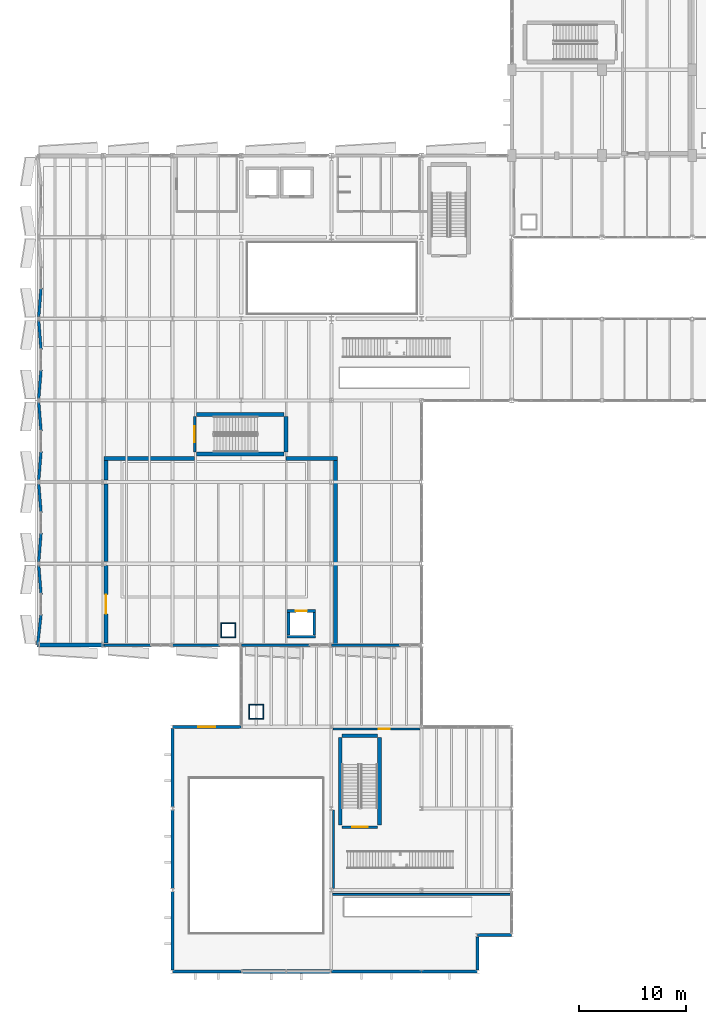
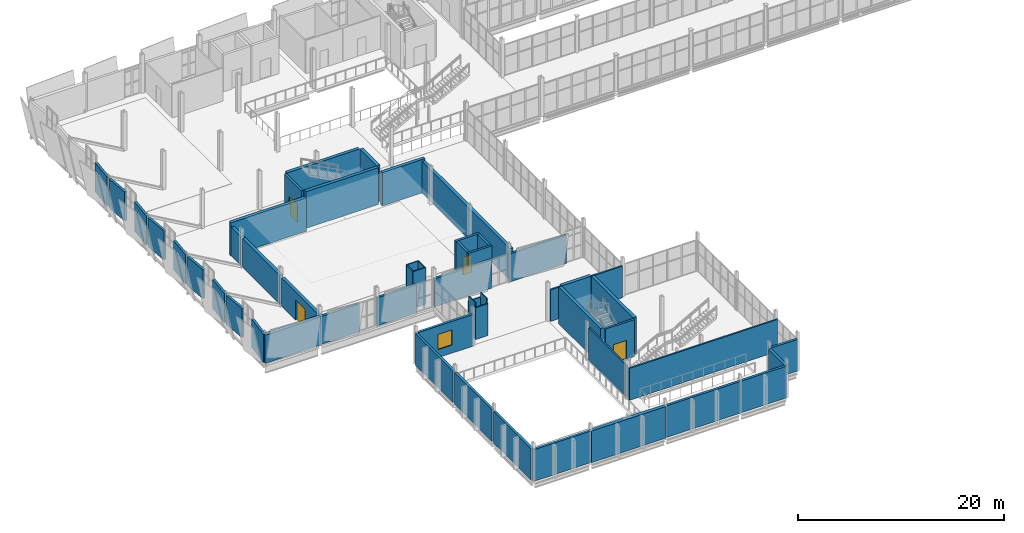
# One storey, part 151 of 172: 53 walls, 5 doors, 1 window, 6 openings.
"""IFC4 building model written with IfcOpenShell, lengths in metres."""

from ifc_helpers import new_model, si_unit, direction, frame, frame_2d, origin, place, context, subcontext, project, spatial, rectangle, extrude, material, layer, layer_set, type_object, element, fill, save


model = new_model("IFC4")

# Units and contexts
model_context = context("Model", 3, precision=1e-05, world=origin(), true_north=direction((0.0, 1.0)))
body_context = subcontext(model_context, "Body", "Model", "MODEL_VIEW")
ifc_project = project(units=[si_unit("LENGTHUNIT", "METRE"), si_unit("AREAUNIT", "SQUARE_METRE"), si_unit("VOLUMEUNIT", "CUBIC_METRE"), si_unit("PLANEANGLEUNIT", "RADIAN"), si_unit("MASSUNIT", "GRAM", prefix="KILO")], contexts=[model_context])

# Site, building, storey
site_placement = place(None, origin())
site = spatial("IfcSite", under=ifc_project, at=site_placement, CompositionType="ELEMENT")
building_placement = place(site_placement, origin())
building = spatial("IfcBuilding", under=site, at=building_placement, Name="Shengluoqiao Park Theatre", CompositionType="ELEMENT")
storey_placement = place(building_placement, frame((0.0, 0.0, 5.39990234375)))
storey = spatial("IfcBuildingStorey", under=building, at=storey_placement, Name="L01", CompositionType="ELEMENT", Elevation=5.39990234375)

# Walls
ifc_material_1 = material(Name="Concrete C40", Category="concrete")
ifc_layer_1 = layer(ifc_material_1, 0.27001953125, Name="Concrete C40")
ifc_layer_set_1 = layer_set([ifc_layer_1], Name="Concrete C40")
wall_type_1 = type_object("IfcWallType", Name="ENV-WL-CONC270", PredefinedType="STANDARD", material=ifc_layer_set_1)
wall_1_placement = place(storey_placement, frame((12.81005859375, 0.0, 0.0), z_axis=(0.0, 0.0, 1.0), x_axis=(1.0, 0.0, 0.0)))
element("IfcWall", 1, at=wall_1_placement, inside=storey, type_object=wall_type_1, Name="L01 Exterior Wall 0141", PredefinedType="STANDARD", context=body_context, shape_type="SweptSolid", body=[
    extrude(rectangle(XDim=6.3798828125, YDim=0.27001953125, at=frame_2d((3.18994140625, 0.0))), origin(), (0.0, 0.0, 1.0), 3.756103515625),
])
wall_2_placement = place(storey_placement, frame((27.610107421875, 0.0, 0.0), z_axis=(0.0, 0.0, 1.0), x_axis=(1.0, 0.0, 0.0)))
element("IfcWall", 2, at=wall_2_placement, inside=storey, type_object=wall_type_1, Name="L01 Exterior Wall 0143", PredefinedType="STANDARD", context=body_context, shape_type="SweptSolid", body=[
    extrude(rectangle(XDim=8.3798828125, YDim=0.27001953125, at=frame_2d((4.18994140625, 0.0))), origin(), (0.0, 0.0, 1.0), 3.756103515625),
])
wall_3_placement = place(storey_placement, frame((36.010009765625, 0.0, 0.0), z_axis=(0.0, 0.0, 1.0), x_axis=(1.0, 0.0, 0.0)))
element("IfcWall", 3, at=wall_3_placement, inside=storey, type_object=wall_type_1, Name="L01 Exterior Wall 0144", PredefinedType="STANDARD", context=body_context, shape_type="SweptSolid", body=[
    extrude(rectangle(XDim=5.179931640625, YDim=0.27001953125, at=frame_2d((2.58984375, 0.0))), origin(), (0.0, 0.0, 1.0), 3.756103515625),
])
for number, where, z_axis, x_axis, name in (
    (4, (12.800048828125, 0.154052734375, 0.0), (0.0, 0.0, 1.0), (0.0, 1.0, 0.0), "L01 Exterior Wall 0145"),
    (5, (12.800048828125, 7.75390625, 0.0), (0.0, 0.0, 1.0), (0.0, 1.0, 0.0), "L01 Exterior Wall 0146"),
    (6, (12.800048828125, 15.35400390625, 0.0), (0.0, 0.0, 1.0), (0.0, 1.0, 0.0), "L01 Exterior Wall 0147"),
):
    element("IfcWall", number, at=place(storey_placement, frame(where, z_axis=z_axis, x_axis=x_axis)), inside=storey, type_object=wall_type_1, Name=name, PredefinedType="STANDARD", context=body_context, shape_type="SweptSolid", body=[
        extrude(rectangle(XDim=7.2919921875, YDim=0.27001953125, at=frame_2d((3.64599609375, 0.0))), origin(), (0.0, 0.0, 1.0), 3.756103515625),
    ])
wall_4_placement = place(storey_placement, frame((41.199951171875, 0.154052734375, 0.0), z_axis=(0.0, 0.0, 1.0), x_axis=(0.0, 1.0, 0.0)))
element("IfcWall", 7, at=wall_4_placement, inside=storey, type_object=wall_type_1, Name="L01 Exterior Wall 0148", PredefinedType="STANDARD", context=body_context, shape_type="SweptSolid", body=[
    extrude(rectangle(XDim=3.092041015625, YDim=0.27001953125, at=frame_2d((1.5458984375, 0.0))), origin(), (0.0, 0.0, 1.0), 3.756103515625),
])
wall_5_placement = place(storey_placement, frame((41.2099609375, 3.39990234375, 0.0), z_axis=(0.0, 0.0, 1.0), x_axis=(1.0, 0.0, 0.0)))
element("IfcWall", 8, at=wall_5_placement, inside=storey, type_object=wall_type_1, Name="L01 Exterior Wall 0149", PredefinedType="STANDARD", context=body_context, shape_type="SweptSolid", body=[
    extrude(rectangle(XDim=3.179931640625, YDim=0.27001953125, at=frame_2d((1.58984375, 0.0))), origin(), (0.0, 0.0, 1.0), 3.756103515625),
])

# Wall, opening, window
wall_6_placement = place(storey_placement, frame((12.81005859375, 22.800048828125, 0.0), z_axis=(0.0, 0.0, 1.0), x_axis=(1.0, 0.0, 0.0)))
wall_6 = element("IfcWall", 9, at=wall_6_placement, inside=storey, type_object=wall_type_1, Name="L01 Exterior Wall 0150", PredefinedType="STANDARD", context=body_context, shape_type="SweptSolid", body=[
    extrude(rectangle(XDim=6.3798828125, YDim=0.27001953125, at=frame_2d((3.18994140625, 0.0))), origin(), (0.0, 0.0, 1.0), 3.756103515625),
])
opening_1_placement = place(wall_6_placement, frame((2.389892578125, 0.0, 0.949951171875)))
opening_1 = element("IfcOpeningElement", 10, at=opening_1_placement, cuts=wall_6, Name="Opening W-06", PredefinedType="OPENING", context=body_context, shape_type="SweptSolid", body=[
    extrude(rectangle(XDim=1.60009765625, YDim=1.800048828125, at=frame_2d((0.800048828125, 0.89990234375))), frame((0.0, 0.14501953125, 0.0), z_axis=(0.0, -1.0, 0.0), x_axis=(1.0, 0.0, 0.0)), (0.0, 0.0, 1.0), 0.2900390625),
])
ifc_material_2 = material(Name="Insulated glass", Category="glass")
window_type = type_object("IfcWindowType", Name="ENV-WIN-W06", PartitioningType="DOUBLE_PANEL_VERTICAL", PredefinedType="WINDOW", material=ifc_material_2)
window_placement = place(opening_1_placement, origin())
window = element("IfcWindow", 11, at=window_placement, inside=storey, type_object=window_type, Name="L01 Acoustic Window 0010", OverallHeight=1.800048828125, OverallWidth=1.60009765625, PartitioningType="DOUBLE_PANEL_VERTICAL", PredefinedType="WINDOW", context=body_context, shape_type="SweptSolid", body=[
    extrude(rectangle(XDim=1.60009765625, YDim=1.800048828125, at=frame_2d((0.800048828125, 0.89990234375))), frame((0.0, 0.030029296875, 0.0), z_axis=(0.0, -1.0, 0.0), x_axis=(1.0, 0.0, 0.0)), (0.0, 0.0, 1.0), 0.06005859375),
])
fill(opening_1, window)

# Walls
ifc_material_3 = material(Name="Concrete C45", Category="concrete")
ifc_layer_2 = layer(ifc_material_3, 0.3798828125, Name="Concrete C45")
ifc_layer_set_2 = layer_set([ifc_layer_2], Name="Concrete C45")
wall_type_2 = type_object("IfcWallType", Name="ENV-WL-CONC380", PredefinedType="STANDARD", material=ifc_layer_set_2)
wall_7_placement = place(storey_placement, frame((0.179931640625, 30.419921875, 0.0), z_axis=(0.0, 0.0, 1.0), x_axis=(1.0, 0.0, 0.0)))
element("IfcWall", 12, at=wall_7_placement, inside=storey, type_object=wall_type_2, Name="L01 Exterior Wall 0091", PredefinedType="STANDARD", context=body_context, shape_type="SweptSolid", body=[
    extrude(rectangle(XDim=6.2099609375, YDim=0.3798828125, at=frame_2d((3.10498046875, 0.0))), origin(), (0.0, 0.0, 1.0), 3.338134765625),
])
wall_8_placement = place(storey_placement, frame((19.2099609375, 0.0, 0.0), z_axis=(0.0, 0.0, 1.0), x_axis=(1.0, 0.0, 0.0)))
element("IfcWall", 13, at=wall_8_placement, inside=storey, type_object=wall_type_2, Name="L01 Exterior Wall 0142", PredefinedType="STANDARD", context=body_context, shape_type="SweptSolid", body=[
    extrude(rectangle(XDim=8.380126953125, YDim=0.3798828125, at=frame_2d((4.18994140625, 0.0))), origin(), (0.0, 0.0, 1.0), 3.756103515625),
])
ifc_material_4 = material(Name="Precast concrete C45", Category="concrete")
ifc_layer_3 = layer(ifc_material_4, 0.25, Name="Precast concrete C45")
ifc_layer_set_3 = layer_set([ifc_layer_3], Name="Precast concrete C45")
wall_type_3 = type_object("IfcWallType", Name="ENV-WL-CRYS250", PredefinedType="STANDARD", material=ifc_layer_set_3)
wall_9_placement = place(storey_placement, frame((6.409912109375, 30.39990234375, 0.0), z_axis=(0.0, 0.0, 1.0), x_axis=(1.0, 0.0, 0.0)))
element("IfcWall", 14, at=wall_9_placement, inside=storey, type_object=wall_type_3, Name="L01 Exterior Wall 0092", PredefinedType="STANDARD", context=body_context, shape_type="SweptSolid", body=[
    extrude(rectangle(XDim=4.4111328125, YDim=0.25, at=frame_2d((2.20556640625, 0.0))), origin(), (0.0, 0.0, 1.0), 3.338134765625),
])
wall_10_placement = place(storey_placement, frame((12.81005859375, 30.39990234375, 0.0), z_axis=(0.0, 0.0, 1.0), x_axis=(1.0, 0.0, 0.0)))
element("IfcWall", 15, at=wall_10_placement, inside=storey, type_object=wall_type_3, Name="L01 Exterior Wall 0093", PredefinedType="STANDARD", context=body_context, shape_type="SweptSolid", body=[
    extrude(rectangle(XDim=4.410888671875, YDim=0.25, at=frame_2d((2.20556640625, 0.0))), origin(), (0.0, 0.0, 1.0), 3.338134765625),
])
wall_11_placement = place(storey_placement, frame((19.2099609375, 30.39990234375, 0.0), z_axis=(0.0, 0.0, 1.0), x_axis=(1.0, 0.0, 0.0)))
element("IfcWall", 16, at=wall_11_placement, inside=storey, type_object=wall_type_3, Name="L01 Exterior Wall 0094", PredefinedType="STANDARD", context=body_context, shape_type="SweptSolid", body=[
    extrude(rectangle(XDim=6.4111328125, YDim=0.25, at=frame_2d((3.20556640625, 0.0))), origin(), (0.0, 0.0, 1.0), 3.338134765625),
])
wall_12_placement = place(storey_placement, frame((27.610107421875, 30.39990234375, 0.0), z_axis=(0.0, 0.0, 1.0), x_axis=(1.0, 0.0, 0.0)))
element("IfcWall", 17, at=wall_12_placement, inside=storey, type_object=wall_type_3, Name="L01 Exterior Wall 0095", PredefinedType="STANDARD", context=body_context, shape_type="SweptSolid", body=[
    extrude(rectangle(XDim=6.410888671875, YDim=0.25, at=frame_2d((3.20556640625, 0.0))), origin(), (0.0, 0.0, 1.0), 3.338134765625),
])
wall_13_placement = place(storey_placement, frame((0.239990234375, 30.419921875, 0.0), z_axis=(0.0, 0.0, 1.0), x_axis=(0.111987730746, 0.993709589449, 0.0)))
element("IfcWall", 18, at=wall_13_placement, inside=storey, type_object=wall_type_3, Name="L01 Exterior Wall 0326", PredefinedType="STANDARD", context=body_context, shape_type="SweptSolid", body=[
    extrude(rectangle(XDim=2.858154296875, YDim=0.25, at=frame_2d((1.42919921875, 0.0))), origin(), (0.0, 0.0, 1.0), 3.338134765625),
])
for number, where, z_axis, x_axis, name in (
    (19, (0.56005859375, 35.139892578125, 0.0), (0.0, 0.0, 1.0), (-0.080753299301, 0.996734119338, 0.0), "L01 Exterior Wall 0327"),
    (20, (0.340087890625, 38.14501953125, 0.0), (0.0, 0.0, 1.0), (0.080753299301, 0.996734119338, 0.0), "L01 Exterior Wall 0328"),
    (21, (0.56005859375, 42.739990234375, 0.0), (0.0, 0.0, 1.0), (-0.080753299301, 0.996734119338, 0.0), "L01 Exterior Wall 0329"),
):
    element("IfcWall", number, at=place(storey_placement, frame(where, z_axis=z_axis, x_axis=x_axis)), inside=storey, type_object=wall_type_3, Name=name, PredefinedType="STANDARD", context=body_context, shape_type="SweptSolid", body=[
        extrude(rectangle(XDim=2.723876953125, YDim=0.25, at=frame_2d((1.36181640625, 0.0))), origin(), (0.0, 0.0, 1.0), 3.43798828125),
    ])
for number, where, z_axis, x_axis, name in (
    (22, (0.340087890625, 45.7451171875, 0.0), (0.0, 0.0, 1.0), (0.080760513926, 0.996733534798, 0.0), "L01 Exterior Wall 0330"),
    (23, (0.56005859375, 50.340087890625, 0.0), (0.0, 0.0, 1.0), (-0.080760513926, 0.996733534798, 0.0), "L01 Exterior Wall 0331"),
):
    element("IfcWall", number, at=place(storey_placement, frame(where, z_axis=z_axis, x_axis=x_axis)), inside=storey, type_object=wall_type_3, Name=name, PredefinedType="STANDARD", context=body_context, shape_type="SweptSolid", body=[
        extrude(rectangle(XDim=2.7236328125, YDim=0.25, at=frame_2d((1.36181640625, 0.0))), origin(), (0.0, 0.0, 1.0), 3.43798828125),
    ])
for number, where, z_axis, x_axis, name in (
    (24, (0.340087890625, 53.344970703125, 0.0), (0.0, 0.0, 1.0), (0.080753299301, 0.996734119338, 0.0), "L01 Exterior Wall 0332"),
    (25, (0.56005859375, 57.93994140625, 0.0), (0.0, 0.0, 1.0), (-0.080753299301, 0.996734119338, 0.0), "L01 Exterior Wall 0333"),
):
    element("IfcWall", number, at=place(storey_placement, frame(where, z_axis=z_axis, x_axis=x_axis)), inside=storey, type_object=wall_type_3, Name=name, PredefinedType="STANDARD", context=body_context, shape_type="SweptSolid", body=[
        extrude(rectangle(XDim=2.723876953125, YDim=0.25, at=frame_2d((1.36181640625, 0.0))), origin(), (0.0, 0.0, 1.0), 3.43798828125),
    ])
wall_14_placement = place(storey_placement, frame((0.340087890625, 60.945068359375, 0.0), z_axis=(0.0, 0.0, 1.0), x_axis=(0.080760513926, 0.996733534798, 0.0)))
element("IfcWall", 26, at=wall_14_placement, inside=storey, type_object=wall_type_3, Name="L01 Exterior Wall 0334", PredefinedType="STANDARD", context=body_context, shape_type="SweptSolid", body=[
    extrude(rectangle(XDim=2.7236328125, YDim=0.25, at=frame_2d((1.36181640625, 0.0))), origin(), (0.0, 0.0, 1.0), 3.43798828125),
])
ifc_material_5 = material(Name="Gypsum acoustic stud", Category="gypsum")
ifc_layer_4 = layer(ifc_material_5, 0.360107421875, Name="Gypsum acoustic stud")
ifc_layer_set_4 = layer_set([ifc_layer_4], Name="Gypsum acoustic stud")
wall_type_4 = type_object("IfcWallType", Name="INT-WL-ACO360", PredefinedType="PARTITIONING", material=ifc_layer_set_4)
wall_15_placement = place(storey_placement, frame((6.419921875, 47.800048828125, 0.0), z_axis=(0.0, 0.0, 1.0), x_axis=(1.0, 0.0, 0.0)))
element("IfcWall", 27, at=wall_15_placement, inside=storey, type_object=wall_type_4, Name="Studio Theatre Partition N", PredefinedType="PARTITIONING", context=body_context, shape_type="SweptSolid", body=[
    extrude(rectangle(XDim=8.43505859375, YDim=0.360107421875, at=frame_2d((4.217529296875, 0.0))), origin(), (0.0, 0.0, 1.0), 3.947998046875),
])
wall_16_placement = place(storey_placement, frame((23.39501953125, 47.800048828125, 0.0), z_axis=(0.0, 0.0, 1.0), x_axis=(1.0, 0.0, 0.0)))
element("IfcWall", 28, at=wall_16_placement, inside=storey, type_object=wall_type_4, Name="Studio Theatre Partition N", PredefinedType="PARTITIONING", context=body_context, shape_type="SweptSolid", body=[
    extrude(rectangle(XDim=4.784912109375, YDim=0.360107421875, at=frame_2d((2.392578125, 0.0))), origin(), (0.0, 0.0, 1.0), 3.947998046875),
])

# Wall, opening, door
wall_17_placement = place(storey_placement, frame((6.60009765625, 30.617919921875, 0.0), z_axis=(0.0, 0.0, 1.0), x_axis=(0.0, 1.0, 0.0)))
wall_17 = element("IfcWall", 29, at=wall_17_placement, inside=storey, type_object=wall_type_4, Name="Studio Theatre Partition W", PredefinedType="PARTITIONING", context=body_context, shape_type="SweptSolid", body=[
    extrude(rectangle(XDim=7.201171875, YDim=0.360107421875, at=frame_2d((3.6005859375, 0.0))), origin(), (0.0, 0.0, 1.0), 3.338134765625),
])
opening_2_placement = place(wall_17_placement, frame((2.700439453125, 0.0, 0.0)))
opening_2 = element("IfcOpeningElement", 30, at=opening_2_placement, cuts=wall_17, Name="Opening D-L01-049", PredefinedType="OPENING", context=body_context, shape_type="SweptSolid", body=[
    extrude(rectangle(XDim=1.800048828125, YDim=2.39990234375, at=frame_2d((0.89990234375, 1.199951171875))), frame((0.0, 0.18994140625, 0.0), z_axis=(0.0, -1.0, 0.0), x_axis=(1.0, 0.0, 0.0)), (0.0, 0.0, 1.0), 0.380126953125),
])
ifc_material_6 = material(Name="Acoustic timber", Category="wood")
door_type_1 = type_object("IfcDoorType", Name="INT-DR-AUD180", OperationType="DOUBLE_DOOR_SINGLE_SWING", PredefinedType="DOOR", material=ifc_material_6)
door_1_placement = place(opening_2_placement, origin())
door_1 = element("IfcDoor", 31, at=door_1_placement, inside=storey, type_object=door_type_1, Name="Studio Theatre Door D-L01-049", OperationType="DOUBLE_DOOR_SINGLE_SWING", OverallHeight=2.39990234375, OverallWidth=1.800048828125, PredefinedType="DOOR", context=body_context, shape_type="SweptSolid", body=[
    extrude(rectangle(XDim=1.800048828125, YDim=2.39990234375, at=frame_2d((0.89990234375, 1.199951171875))), frame((0.0, 0.02490234375, 0.0), z_axis=(0.0, -1.0, 0.0), x_axis=(1.0, 0.0, 0.0)), (0.0, 0.0, 1.0), 0.050048828125),
])
fill(opening_2, door_1)

# Walls
wall_18_placement = place(storey_placement, frame((6.60009765625, 38.180908203125, 0.0), z_axis=(0.0, 0.0, 1.0), x_axis=(0.0, 1.0, 0.0)))
element("IfcWall", 32, at=wall_18_placement, inside=storey, type_object=wall_type_4, Name="Studio Theatre Partition W", PredefinedType="PARTITIONING", context=body_context, shape_type="SweptSolid", body=[
    extrude(rectangle(XDim=7.238037109375, YDim=0.360107421875, at=frame_2d((3.619140625, 0.0))), origin(), (0.0, 0.0, 1.0), 3.43798828125),
])
wall_19_placement = place(storey_placement, frame((6.60009765625, 45.781005859375, 0.0), z_axis=(0.0, 0.0, 1.0), x_axis=(0.0, 1.0, 0.0)))
element("IfcWall", 33, at=wall_19_placement, inside=storey, type_object=wall_type_4, Name="Studio Theatre Partition W", PredefinedType="PARTITIONING", context=body_context, shape_type="SweptSolid", body=[
    extrude(rectangle(XDim=1.8330078125, YDim=0.360107421875, at=frame_2d((0.91650390625, 0.0))), origin(), (0.0, 0.0, 1.0), 3.43798828125),
])
wall_20_placement = place(storey_placement, frame((28.0, 30.532958984375, 0.0), z_axis=(0.0, 0.0, 1.0), x_axis=(0.0, 1.0, 0.0)))
element("IfcWall", 34, at=wall_20_placement, inside=storey, type_object=wall_type_4, Name="Studio Theatre Partition E", PredefinedType="PARTITIONING", context=body_context, shape_type="SweptSolid", body=[
    extrude(rectangle(XDim=17.0810546875, YDim=0.360107421875, at=frame_2d((8.54052734375, 0.0))), origin(), (0.0, 0.0, 1.0), 3.75),
])

# Wall, opening, door
ifc_layer_5 = layer(ifc_material_5, 0.175048828125, Name="Gypsum acoustic stud")
ifc_layer_set_5 = layer_set([ifc_layer_5], Name="Gypsum acoustic stud")
wall_type_5 = type_object("IfcWallType", Name="INT-WL-COR175", PredefinedType="PARTITIONING", material=ifc_layer_set_5)
wall_21_placement = place(storey_placement, frame((27.758056640625, 22.60009765625, 0.0), z_axis=(0.0, 0.0, 1.0), x_axis=(1.0, 0.0, 0.0)))
wall_21 = element("IfcWall", 35, at=wall_21_placement, inside=storey, type_object=wall_type_5, Name="Black-Box Technical Control and Seating Gallery Partition N", PredefinedType="PARTITIONING", context=body_context, shape_type="SweptSolid", body=[
    extrude(rectangle(XDim=8.0859375, YDim=0.175048828125, at=frame_2d((4.04296875, 0.0))), origin(), (0.0, 0.0, 1.0), 3.756103515625),
])
opening_3_placement = place(wall_21_placement, frame((4.23291015625, 0.0, 0.0)))
opening_3 = element("IfcOpeningElement", 36, at=opening_3_placement, cuts=wall_21, Name="Opening D-L01-050", PredefinedType="OPENING", context=body_context, shape_type="SweptSolid", body=[
    extrude(rectangle(XDim=1.06005859375, YDim=2.14990234375, at=frame_2d((0.530029296875, 1.074951171875))), frame((0.0, 0.097412109375, 0.0), z_axis=(0.0, -1.0, 0.0), x_axis=(1.0, 0.0, 0.0)), (0.0, 0.0, 1.0), 0.195068359375),
])
door_type_2 = type_object("IfcDoorType", Name="INT-DR-SNG106", OperationType="NOTDEFINED", PredefinedType="DOOR", material=ifc_material_6)
door_2_placement = place(opening_3_placement, origin())
door_2 = element("IfcDoor", 37, at=door_2_placement, inside=storey, type_object=door_type_2, Name="Black-Box Technical Control and Seating Gallery Door D-L01-050", OperationType="SINGLE_SWING_LEFT", OverallHeight=2.14990234375, OverallWidth=1.06005859375, PredefinedType="DOOR", context=body_context, shape_type="SweptSolid", body=[
    extrude(rectangle(XDim=1.06005859375, YDim=2.14990234375, at=frame_2d((0.530029296875, 1.074951171875))), frame((0.0, 0.02490234375, 0.0), z_axis=(0.0, -1.0, 0.0), x_axis=(1.0, 0.0, 0.0)), (0.0, 0.0, 1.0), 0.050048828125),
])
fill(opening_3, door_2)

# Walls
wall_22_placement = place(storey_placement, frame((27.71240234375, 7.199951171875, 0.0), z_axis=(0.0, 0.0, 1.0), x_axis=(1.0, 0.0, 0.0)))
element("IfcWall", 38, at=wall_22_placement, inside=storey, type_object=wall_type_5, Name="Black-Box Technical Control and Seating Gallery Partition S", PredefinedType="PARTITIONING", context=body_context, shape_type="SweptSolid", body=[
    extrude(rectangle(XDim=16.599609375, YDim=0.175048828125, at=frame_2d((8.2998046875, 0.0))), origin(), (0.0, 0.0, 1.0), 3.7880859375),
])
wall_23_placement = place(storey_placement, frame((27.800048828125, 7.756103515625, 0.0), z_axis=(0.0, 0.0, 1.0), x_axis=(0.0, 1.0, 0.0)))
element("IfcWall", 39, at=wall_23_placement, inside=storey, type_object=wall_type_5, Name="Black-Box Technical Control and Seating Gallery Partition W", PredefinedType="PARTITIONING", context=body_context, shape_type="SweptSolid", body=[
    extrude(rectangle(XDim=7.287841796875, YDim=0.175048828125, at=frame_2d((3.64404296875, 0.0))), origin(), (0.0, 0.0, 1.0), 3.756103515625),
])
ifc_material_7 = material(Name="Gypsum shaftwall", Category="gypsum")
ifc_layer_6 = layer(ifc_material_7, 0.094970703125, Name="Gypsum shaftwall")
ifc_layer_set_6 = layer_set([ifc_layer_6], Name="Gypsum shaftwall")
wall_type_6 = type_object("IfcWallType", Name="INT-WL-RSR095", PredefinedType="PARTITIONING", material=ifc_layer_set_6)
for number, where, z_axis, x_axis, name in (
    (40, (17.304931640625, 31.14990234375, 0.0), (0.0, 0.0, 1.0), (1.0, 0.0, 0.0), "L01 Service Riser Shaftwall 073"),
    (41, (17.304931640625, 32.469970703125, 0.0), (0.0, 0.0, 1.0), (1.0, 0.0, 0.0), "L01 Service Riser Shaftwall 074"),
):
    element("IfcWall", number, at=place(storey_placement, frame(where, z_axis=z_axis, x_axis=x_axis)), inside=storey, type_object=wall_type_6, Name=name, PredefinedType="PARTITIONING", context=body_context, shape_type="SweptSolid", body=[
        extrude(rectangle(XDim=1.41015625, YDim=0.094970703125, at=frame_2d((0.705078125, 0.0))), origin(), (0.0, 0.0, 1.0), 4.360107421875),
    ])
for number, where, z_axis, x_axis, name in (
    (42, (17.35009765625, 31.205078125, 0.0), (0.0, 0.0, 1.0), (0.0, 1.0, 0.0), "L01 Service Riser Shaftwall 075"),
    (43, (18.669921875, 31.205078125, 0.0), (0.0, 0.0, 1.0), (0.0, 1.0, 0.0), "L01 Service Riser Shaftwall 076"),
):
    element("IfcWall", number, at=place(storey_placement, frame(where, z_axis=z_axis, x_axis=x_axis)), inside=storey, type_object=wall_type_6, Name=name, PredefinedType="PARTITIONING", context=body_context, shape_type="SweptSolid", body=[
        extrude(rectangle(XDim=1.2099609375, YDim=0.094970703125, at=frame_2d((0.60498046875, 0.0))), origin(), (0.0, 0.0, 1.0), 4.360107421875),
    ])
for number, where, z_axis, x_axis, name in (
    (44, (19.905029296875, 23.550048828125, 0.0), (0.0, 0.0, 1.0), (1.0, 0.0, 0.0), "L01 Service Riser Shaftwall 077"),
    (45, (19.905029296875, 24.8701171875, 0.0), (0.0, 0.0, 1.0), (1.0, 0.0, 0.0), "L01 Service Riser Shaftwall 078"),
):
    element("IfcWall", number, at=place(storey_placement, frame(where, z_axis=z_axis, x_axis=x_axis)), inside=storey, type_object=wall_type_6, Name=name, PredefinedType="PARTITIONING", context=body_context, shape_type="SweptSolid", body=[
        extrude(rectangle(XDim=1.409912109375, YDim=0.094970703125, at=frame_2d((0.705078125, 0.0))), origin(), (0.0, 0.0, 1.0), 3.7880859375),
    ])
for number, where, z_axis, x_axis, name in (
    (46, (19.949951171875, 23.60498046875, 0.0), (0.0, 0.0, 1.0), (0.0, 1.0, 0.0), "L01 Service Riser Shaftwall 079"),
    (47, (21.27001953125, 23.60498046875, 0.0), (0.0, 0.0, 1.0), (0.0, 1.0, 0.0), "L01 Service Riser Shaftwall 080"),
):
    element("IfcWall", number, at=place(storey_placement, frame(where, z_axis=z_axis, x_axis=x_axis)), inside=storey, type_object=wall_type_6, Name=name, PredefinedType="PARTITIONING", context=body_context, shape_type="SweptSolid", body=[
        extrude(rectangle(XDim=1.2099609375, YDim=0.094970703125, at=frame_2d((0.60498046875, 0.0))), origin(), (0.0, 0.0, 1.0), 4.360107421875),
    ])
ifc_layer_7 = layer(ifc_material_1, 0.260009765625, Name="Concrete C40")
ifc_layer_set_7 = layer_set([ifc_layer_7], Name="Concrete C40")
wall_type_7 = type_object("IfcWallType", Name="INT-WL-SHF260", PredefinedType="STANDARD", material=ifc_layer_set_7)
wall_24_placement = place(storey_placement, frame((23.469970703125, 31.199951171875, 0.0), z_axis=(0.0, 0.0, 1.0), x_axis=(1.0, 0.0, 0.0)))
element("IfcWall", 48, at=wall_24_placement, inside=storey, type_object=wall_type_7, Name="L01 SL1 Lift Shaft Wall South", PredefinedType="STANDARD", context=body_context, shape_type="SweptSolid", body=[
    extrude(rectangle(XDim=2.659912109375, YDim=0.260009765625, at=frame_2d((1.330078125, 0.0))), origin(), (0.0, 0.0, 1.0), 4.360107421875),
])

# Wall, opening, door
wall_25_placement = place(storey_placement, frame((23.469970703125, 33.60009765625, 0.0), z_axis=(0.0, 0.0, 1.0), x_axis=(1.0, 0.0, 0.0)))
wall_25 = element("IfcWall", 49, at=wall_25_placement, inside=storey, type_object=wall_type_7, Name="L01 SL1 Lift Shaft Wall North", PredefinedType="STANDARD", context=body_context, shape_type="SweptSolid", body=[
    extrude(rectangle(XDim=2.659912109375, YDim=0.260009765625, at=frame_2d((1.330078125, 0.0))), origin(), (0.0, 0.0, 1.0), 4.360107421875),
])
opening_4_placement = place(wall_25_placement, frame((0.820068359375, 0.0, 0.0)))
opening_4 = element("IfcOpeningElement", 50, at=opening_4_placement, cuts=wall_25, Name="Opening LD-SL1-L01", PredefinedType="OPENING", context=body_context, shape_type="SweptSolid", body=[
    extrude(rectangle(XDim=1.02001953125, YDim=2.10009765625, at=frame_2d((0.510009765625, 1.050048828125))), frame((0.0, 0.139892578125, 0.0), z_axis=(0.0, -1.0, 0.0), x_axis=(1.0, 0.0, 0.0)), (0.0, 0.0, 1.0), 0.280029296875),
])
ifc_material_8 = material(Name="Stainless steel 304", Category="steel")
door_type_3 = type_object("IfcDoorType", Name="INT-DR-LD102", OperationType="SLIDING_TO_LEFT", PredefinedType="DOOR", material=ifc_material_8)
door_3_placement = place(opening_4_placement, origin())
door_3 = element("IfcDoor", 51, at=door_3_placement, inside=storey, type_object=door_type_3, Name="SL1 Lift Landing Door LD-SL1-L01", OperationType="SLIDING_TO_LEFT", OverallHeight=2.10009765625, OverallWidth=1.02001953125, PredefinedType="DOOR", context=body_context, shape_type="SweptSolid", body=[
    extrude(rectangle(XDim=1.02001953125, YDim=2.10009765625, at=frame_2d((0.510009765625, 1.050048828125))), frame((0.0, 0.02490234375, 0.0), z_axis=(0.0, -1.0, 0.0), x_axis=(1.0, 0.0, 0.0)), (0.0, 0.0, 1.0), 0.050048828125),
])
fill(opening_4, door_3)

# Walls
for number, where, z_axis, x_axis, name in (
    (52, (23.60009765625, 31.3359375, 0.0), (0.0, 0.0, 1.0), (0.0, 1.0, 0.0), "L01 SL1 Lift Shaft Wall West"),
    (53, (26.0, 31.3359375, 0.0), (0.0, 0.0, 1.0), (0.0, 1.0, 0.0), "L01 SL1 Lift Shaft Wall East"),
):
    element("IfcWall", number, at=place(storey_placement, frame(where, z_axis=z_axis, x_axis=x_axis)), inside=storey, type_object=wall_type_7, Name=name, PredefinedType="STANDARD", context=body_context, shape_type="SweptSolid", body=[
        extrude(rectangle(XDim=2.128173828125, YDim=0.260009765625, at=frame_2d((1.06396484375, 0.0))), origin(), (0.0, 0.0, 1.0), 4.360107421875),
    ])

# Wall, opening, door
ifc_layer_8 = layer(ifc_material_1, 0.239990234375, Name="Concrete C40")
ifc_layer_set_8 = layer_set([ifc_layer_8], Name="Concrete C40")
wall_type_8 = type_object("IfcWallType", Name="INT-WL-STW240", PredefinedType="STANDARD", material=ifc_layer_set_8)
wall_26_placement = place(storey_placement, frame((31.889892578125, 13.4599609375, 0.0), z_axis=(0.0, 0.0, 1.0), x_axis=(-1.0, 0.0, 0.0)))
wall_26 = element("IfcWall", 54, at=wall_26_placement, inside=storey, type_object=wall_type_8, Name="L01 ST-04 Stairwell Fire Wall", PredefinedType="STANDARD", context=body_context, shape_type="SweptSolid", body=[
    extrude(rectangle(XDim=3.27978515625, YDim=0.239990234375, at=frame_2d((1.639892578125, 0.0))), origin(), (0.0, 0.0, 1.0), 4.360107421875),
])
opening_5_placement = place(wall_26_placement, frame((0.9150390625, 0.0, 0.0)))
opening_5 = element("IfcOpeningElement", 55, at=opening_5_placement, cuts=wall_26, Name="Opening SD-04-L01", PredefinedType="OPENING", context=body_context, shape_type="SweptSolid", body=[
    extrude(rectangle(XDim=1.449951171875, YDim=2.199951171875, at=frame_2d((0.72509765625, 1.10009765625))), frame((0.0, 0.1298828125, 0.0), z_axis=(0.0, -1.0, 0.0), x_axis=(1.0, 0.0, 0.0)), (0.0, 0.0, 1.0), 0.260009765625),
])
ifc_material_9 = material(Name="Steel Q355", Category="steel")
door_type_4 = type_object("IfcDoorType", Name="INT-DR-STW145", OperationType="DOUBLE_DOOR_SINGLE_SWING", PredefinedType="DOOR", material=ifc_material_9)
door_4_placement = place(opening_5_placement, origin())
door_4 = element("IfcDoor", 56, at=door_4_placement, inside=storey, type_object=door_type_4, Name="L01 ST-04 Escape Stair Door SD-04-L01", OperationType="DOUBLE_DOOR_SINGLE_SWING", OverallHeight=2.199951171875, OverallWidth=1.449951171875, PredefinedType="DOOR", context=body_context, shape_type="SweptSolid", body=[
    extrude(rectangle(XDim=1.449951171875, YDim=2.199951171875, at=frame_2d((0.72509765625, 1.10009765625))), frame((0.0, 0.02490234375, 0.0), z_axis=(0.0, -1.0, 0.0), x_axis=(1.0, 0.0, 0.0)), (0.0, 0.0, 1.0), 0.050048828125),
])
fill(opening_5, door_4)

wall_27_placement = place(storey_placement, frame((14.860107421875, 48.409912109375, 0.0), z_axis=(0.0, 0.0, 1.0), x_axis=(0.0, 1.0, 0.0)))
wall_27 = element("IfcWall", 57, at=wall_27_placement, inside=storey, type_object=wall_type_8, Name="L01 ST-13 Stairwell Fire Wall", PredefinedType="STANDARD", context=body_context, shape_type="SweptSolid", body=[
    extrude(rectangle(XDim=3.280029296875, YDim=0.239990234375, at=frame_2d((1.64013671875, 0.0))), origin(), (0.0, 0.0, 1.0), 4.360107421875),
])
opening_6_placement = place(wall_27_placement, frame((0.9150390625, 0.0, 0.0)))
opening_6 = element("IfcOpeningElement", 58, at=opening_6_placement, cuts=wall_27, Name="Opening SD-13-L01", PredefinedType="OPENING", context=body_context, shape_type="SweptSolid", body=[
    extrude(rectangle(XDim=1.449951171875, YDim=2.199951171875, at=frame_2d((0.72509765625, 1.10009765625))), frame((0.0, 0.1298828125, 0.0), z_axis=(0.0, -1.0, 0.0), x_axis=(1.0, 0.0, 0.0)), (0.0, 0.0, 1.0), 0.260009765625),
])
door_5_placement = place(opening_6_placement, origin())
door_5 = element("IfcDoor", 59, at=door_5_placement, inside=storey, type_object=door_type_4, Name="L01 ST-13 Escape Stair Door SD-13-L01", OperationType="DOUBLE_DOOR_SINGLE_SWING", OverallHeight=2.199951171875, OverallWidth=1.449951171875, PredefinedType="DOOR", context=body_context, shape_type="SweptSolid", body=[
    extrude(rectangle(XDim=1.449951171875, YDim=2.199951171875, at=frame_2d((0.72509765625, 1.10009765625))), frame((0.0, 0.02490234375, 0.0), z_axis=(0.0, -1.0, 0.0), x_axis=(1.0, 0.0, 0.0)), (0.0, 0.0, 1.0), 0.050048828125),
])
fill(opening_6, door_5)

# Walls
ifc_material_10 = material(Name="Concrete C50", Category="concrete")
ifc_layer_9 = layer(ifc_material_10, 0.35009765625, Name="Concrete C50")
ifc_layer_set_9 = layer_set([ifc_layer_9], Name="Concrete C50")
wall_type_9 = type_object("IfcWallType", Name="STR-SW-CORE350", PredefinedType="SHEAR", material=ifc_layer_set_9)
wall_28_placement = place(storey_placement, frame((32.080078125, 13.64990234375, 0.0), z_axis=(0.0, 0.0, 1.0), x_axis=(0.0, 1.0, 0.0)))
element("IfcWall", 60, at=wall_28_placement, inside=storey, type_object=wall_type_9, Name="L01 ST-04 Core Left Shear Wall 0079", PredefinedType="SHEAR", context=body_context, shape_type="SweptSolid", body=[
    extrude(rectangle(XDim=8.150146484375, YDim=0.35009765625, at=frame_2d((4.0751953125, 0.0))), origin(), (0.0, 0.0, 1.0), 4.360107421875),
])
wall_29_placement = place(storey_placement, frame((31.89990234375, 21.97998046875, 0.0), z_axis=(0.0, 0.0, 1.0), x_axis=(-1.0, 0.0, 0.0)))
element("IfcWall", 61, at=wall_29_placement, inside=storey, type_object=wall_type_9, Name="L01 ST-04 Core Far Shear Wall 0080", PredefinedType="SHEAR", context=body_context, shape_type="SweptSolid", body=[
    extrude(rectangle(XDim=3.2998046875, YDim=0.35009765625, at=frame_2d((1.64990234375, 0.0))), origin(), (0.0, 0.0, 1.0), 4.360107421875),
])
wall_30_placement = place(storey_placement, frame((28.419921875, 21.800048828125, 0.0), z_axis=(0.0, 0.0, 1.0), x_axis=(0.0, -1.0, 0.0)))
element("IfcWall", 62, at=wall_30_placement, inside=storey, type_object=wall_type_9, Name="L01 ST-04 Core Right Shear Wall 0081", PredefinedType="SHEAR", context=body_context, shape_type="SweptSolid", body=[
    extrude(rectangle(XDim=8.150146484375, YDim=0.35009765625, at=frame_2d((4.0751953125, 0.0))), origin(), (0.0, 0.0, 1.0), 4.360107421875),
])
wall_31_placement = place(storey_placement, frame((15.050048828125, 48.219970703125, 0.0), z_axis=(0.0, 0.0, 1.0), x_axis=(1.0, 0.0, 0.0)))
element("IfcWall", 63, at=wall_31_placement, inside=storey, type_object=wall_type_9, Name="L01 ST-13 Core Left Shear Wall 0172", PredefinedType="SHEAR", context=body_context, shape_type="SweptSolid", body=[
    extrude(rectangle(XDim=8.14990234375, YDim=0.35009765625, at=frame_2d((4.074951171875, 0.0))), origin(), (0.0, 0.0, 1.0), 4.360107421875),
])
wall_32_placement = place(storey_placement, frame((23.3798828125, 48.39990234375, 0.0), z_axis=(0.0, 0.0, 1.0), x_axis=(0.0, 1.0, 0.0)))
element("IfcWall", 64, at=wall_32_placement, inside=storey, type_object=wall_type_9, Name="L01 ST-13 Core Far Shear Wall 0173", PredefinedType="SHEAR", context=body_context, shape_type="SweptSolid", body=[
    extrude(rectangle(XDim=3.300048828125, YDim=0.35009765625, at=frame_2d((1.64990234375, 0.0))), origin(), (0.0, 0.0, 1.0), 4.360107421875),
])
wall_33_placement = place(storey_placement, frame((23.199951171875, 51.8798828125, 0.0), z_axis=(0.0, 0.0, 1.0), x_axis=(-1.0, 0.0, 0.0)))
element("IfcWall", 65, at=wall_33_placement, inside=storey, type_object=wall_type_9, Name="L01 ST-13 Core Right Shear Wall 0174", PredefinedType="SHEAR", context=body_context, shape_type="SweptSolid", body=[
    extrude(rectangle(XDim=8.14990234375, YDim=0.35009765625, at=frame_2d((4.074951171875, 0.0))), origin(), (0.0, 0.0, 1.0), 4.360107421875),
])

save(model, "model.ifc")
